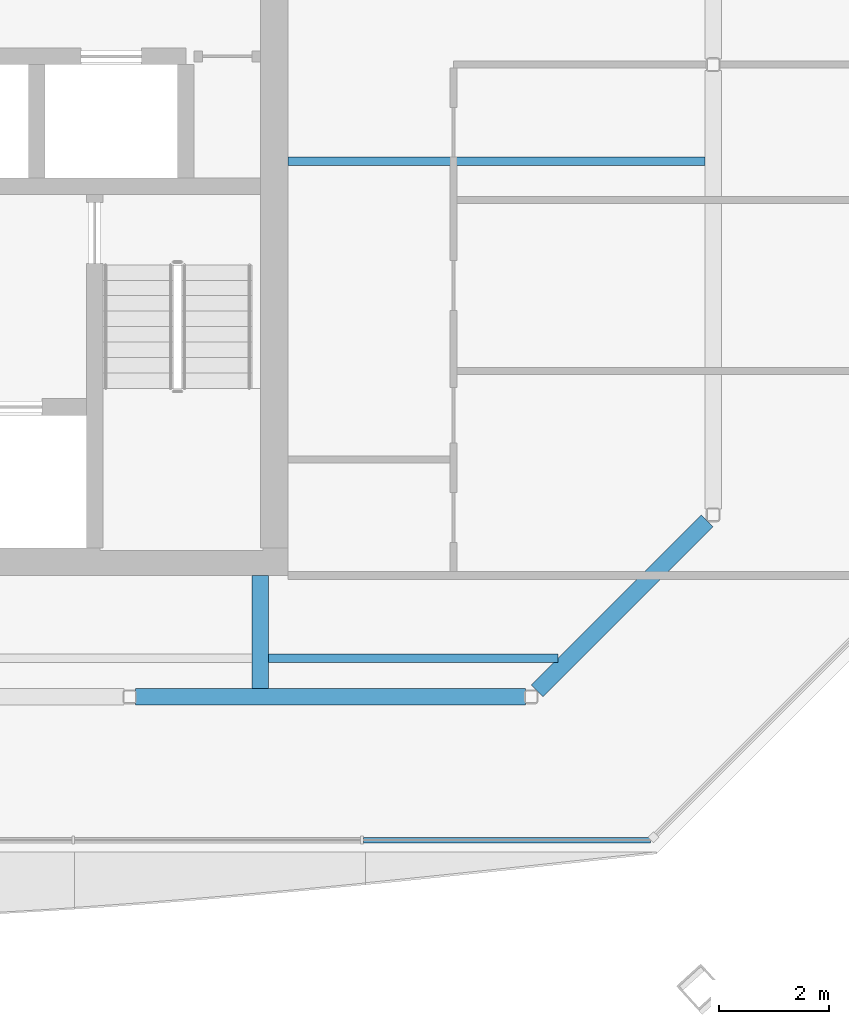
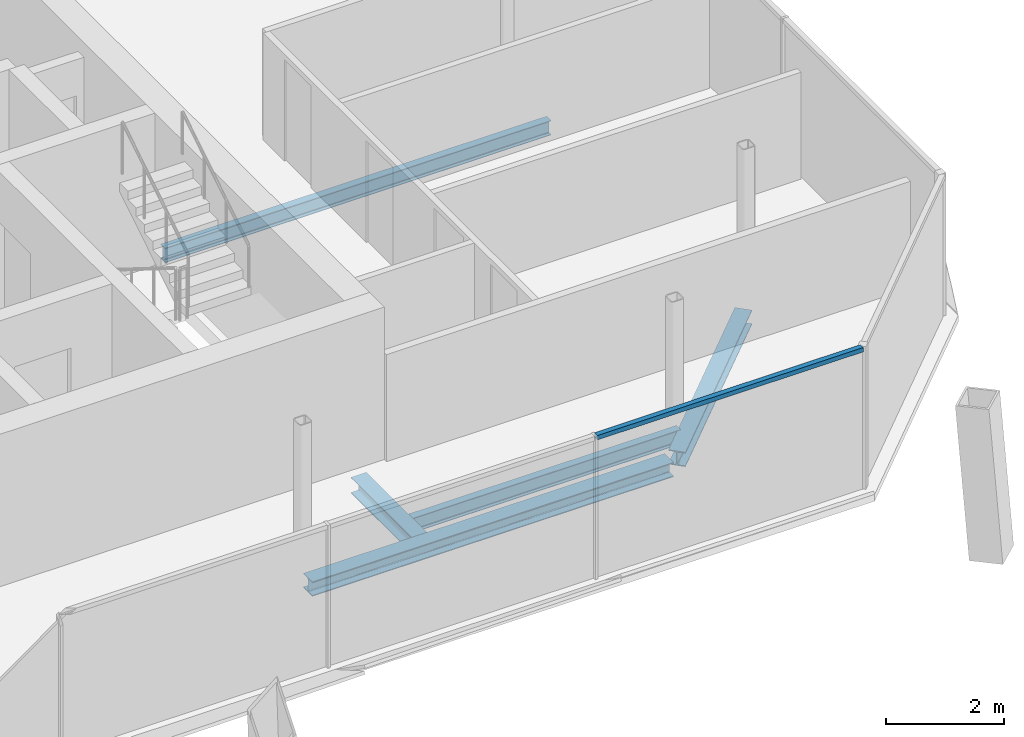
# One storey, part 4 of 16: 5 beams, 1 member, 1 element without a shape of its own.
"""IFC4 building model written with IfcOpenShell, lengths in metres."""

from ifc_helpers import new_model, si_unit, direction, frame, origin, origin_2d, place, context, subcontext, project, spatial, rectangle, i_section, extrude, material, material_profile, profile_set, type_object, element, aggregate, save


model = new_model("IFC4")

# Units and contexts
model_context = context("Model", 3, precision=1e-05, world=origin(), true_north=direction((0.0, 1.0)))
body_context = subcontext(model_context, "Body", "Model", "MODEL_VIEW")
ifc_project = project(units=[si_unit("LENGTHUNIT", "METRE"), si_unit("AREAUNIT", "SQUARE_METRE"), si_unit("VOLUMEUNIT", "CUBIC_METRE"), si_unit("PLANEANGLEUNIT", "RADIAN"), si_unit("MASSUNIT", "GRAM", prefix="KILO")], contexts=[model_context])

# Site, building, storey
site_placement = place(None, origin())
site = spatial("IfcSite", under=ifc_project, at=site_placement, CompositionType="ELEMENT")
building_placement = place(site_placement, origin())
building = spatial("IfcBuilding", under=site, at=building_placement, Name="Tskaro Facet Tower", CompositionType="ELEMENT")
storey_placement = place(building_placement, frame((0.0, 0.0, 265.800048828125)))
storey = spatial("IfcBuildingStorey", under=building, at=storey_placement, Name="L70", CompositionType="ELEMENT", Elevation=265.800048828125)

# Curtain wall, member
ifc_material_1 = material(Name="Bronze anodised aluminium 6063-T6", Category="aluminium")
curtain_wall_type = type_object("IfcCurtainWallType", Name="Bronze residence curtain wall (FW3)", PredefinedType="NOTDEFINED", material=ifc_material_1)
curtain_wall_placement = place(storey_placement, origin())
curtain_wall = element("IfcCurtainWall", 1, at=curtain_wall_placement, inside=storey, type_object=curtain_wall_type, Name="FW3 south facet L70", PredefinedType="NOTDEFINED")
ifc_material_profile_1 = material_profile(ifc_material_1, rectangle(XDim=0.10009765625, YDim=0.090087890625, at=origin_2d()), Name="Transom 100x90")
ifc_profile_set_1 = profile_set([ifc_material_profile_1], Name="Bronze anodised aluminium 6063-T6")
member_type = type_object("IfcMemberType", Name="FW3 bronze transom 100x90", PredefinedType="USERDEFINED", material=ifc_profile_set_1)
member_placement = place(storey_placement, frame((10.866943359375, -16.79296875, 2.905029296875), z_axis=(1.0, 0.0, 0.0), x_axis=(0.0, 1.0, 0.0)))
member = element("IfcMember", 2, at=member_placement, type_object=member_type, Name="FW3 south transom 5.1", ObjectType="TRANSOM", PredefinedType="USERDEFINED", context=body_context, shape_type="SweptSolid", body=[
    extrude(rectangle(XDim=0.10009765625, YDim=0.090087890625, at=origin_2d()), origin(), (0.0, 0.0, 1.0), 5.203125),
])
aggregate(curtain_wall, [member])

# Beams
ifc_material_2 = material(Name="Steel S355J2", Category="steel")
ifc_material_profile_2 = material_profile(ifc_material_2, i_section(OverallWidth=0.300048828125, OverallDepth=0.300048828125, WebThickness=0.010986328125, FlangeThickness=0.01904296875, FilletRadius=0.027099609375, at=origin_2d()), Name="HE 300 B")
ifc_profile_set_2 = profile_set([ifc_material_profile_2], Name="Steel S355J2")
beam_type_1 = type_object("IfcBeamType", Name="HE 300 B ring beam", PredefinedType="BEAM", material=ifc_profile_set_2)
beam_1_placement = place(storey_placement, frame((6.739013671875, -14.199951171875, -0.2900390625), z_axis=(1.0, 0.0, 0.0), x_axis=(0.0, 1.0, 0.0)))
element("IfcBeam", 3, at=beam_1_placement, inside=storey, type_object=beam_type_1, Name="HE 300 B EB3-6", PredefinedType="BEAM", context=body_context, shape_type="SweptSolid", body=[
    extrude(i_section(OverallWidth=0.300048828125, OverallDepth=0.300048828125, WebThickness=0.010986328125, FlangeThickness=0.01904296875, FilletRadius=0.027099609375, at=origin_2d()), origin(), (0.0, 0.0, 1.0), 7.05908203125),
])
beam_2_placement = place(storey_placement, frame((14.013916015625, -14.089111328125, -0.2900390625), z_axis=(0.707106781187, 0.707106781187, 0.0), x_axis=(-0.707106781187, 0.707106781187, 0.0)))
element("IfcBeam", 4, at=beam_2_placement, inside=storey, type_object=beam_type_1, Name="HE 300 B EB4-6", PredefinedType="BEAM", context=body_context, shape_type="SweptSolid", body=[
    extrude(i_section(OverallWidth=0.300048828125, OverallDepth=0.300048828125, WebThickness=0.010986328125, FlangeThickness=0.01904296875, FilletRadius=0.027099609375, at=origin_2d()), origin(), (0.0, 0.0, 1.0), 4.348876953125),
])
ifc_material_profile_3 = material_profile(ifc_material_2, i_section(OverallWidth=0.300048828125, OverallDepth=0.330078125, WebThickness=0.009521484375, FlangeThickness=0.0166015625, FilletRadius=0.027099609375, at=origin_2d()), Name="HE 340 A")
ifc_profile_set_3 = profile_set([ifc_material_profile_3], Name="Steel S355J2")
beam_type_2 = type_object("IfcBeamType", Name="HE 340 A girder", PredefinedType="BEAM", material=ifc_profile_set_3)
beam_3_placement = place(storey_placement, frame((9.0, -14.050048828125, -0.304931640625), z_axis=(0.0, 1.0, 0.0), x_axis=(-1.0, 0.0, 0.0)))
element("IfcBeam", 5, at=beam_3_placement, inside=storey, type_object=beam_type_2, Name="HE 340 A GB5-1-6", PredefinedType="BEAM", context=body_context, shape_type="SweptSolid", body=[
    extrude(i_section(OverallWidth=0.300048828125, OverallDepth=0.330078125, WebThickness=0.009521484375, FlangeThickness=0.0166015625, FilletRadius=0.027099609375, at=origin_2d()), origin(), (0.0, 0.0, 1.0), 2.050048828125),
])
ifc_material_profile_4 = material_profile(ifc_material_2, i_section(OverallWidth=0.14990234375, OverallDepth=0.300048828125, WebThickness=0.007080078125, FlangeThickness=0.0107421875, FilletRadius=0.014892578125, at=origin_2d()), Name="IPE 300")
ifc_profile_set_4 = profile_set([ifc_material_profile_4], Name="Steel S355J2")
beam_type_3 = type_object("IfcBeamType", Name="IPE 300 secondary beam", PredefinedType="BEAM", material=ifc_profile_set_4)
beam_4_placement = place(storey_placement, frame((9.14990234375, -13.5, -0.2900390625), z_axis=(1.0, 0.0, 0.0), x_axis=(0.0, 1.0, 0.0)))
element("IfcBeam", 6, at=beam_4_placement, inside=storey, type_object=beam_type_3, Name="IPE 300 SB2a-3-6", PredefinedType="BEAM", context=body_context, shape_type="SweptSolid", body=[
    extrude(i_section(OverallWidth=0.14990234375, OverallDepth=0.300048828125, WebThickness=0.007080078125, FlangeThickness=0.0107421875, FilletRadius=0.014892578125, at=origin_2d()), origin(), (0.0, 0.0, 1.0), 5.2412109375),
])
beam_5_placement = place(storey_placement, frame((9.5, -4.5, -0.2900390625), z_axis=(1.0, 0.0, 0.0), x_axis=(0.0, 1.0, 0.0)))
element("IfcBeam", 7, at=beam_5_placement, inside=storey, type_object=beam_type_3, Name="IPE 300 SB3a-2-6", PredefinedType="BEAM", context=body_context, shape_type="SweptSolid", body=[
    extrude(i_section(OverallWidth=0.14990234375, OverallDepth=0.300048828125, WebThickness=0.007080078125, FlangeThickness=0.0107421875, FilletRadius=0.014892578125, at=origin_2d()), origin(), (0.0, 0.0, 1.0), 7.550048828125),
])

save(model, "model.ifc")
